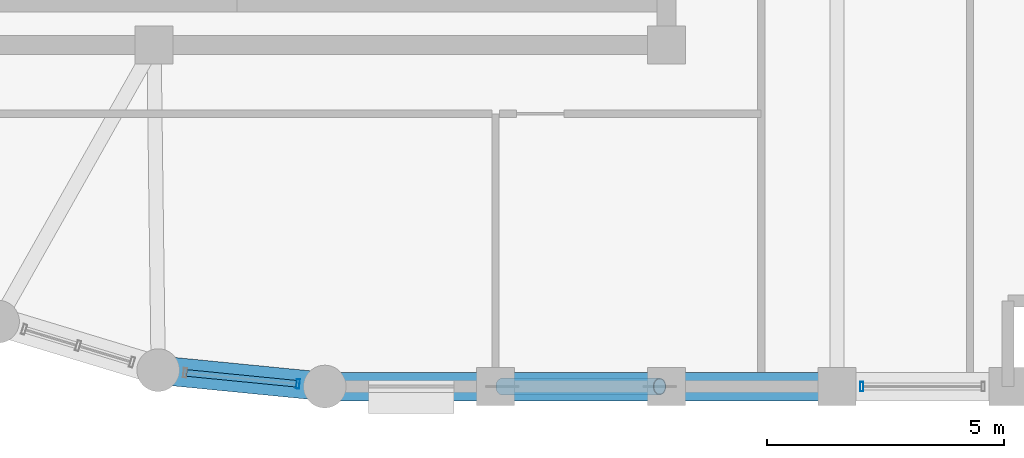
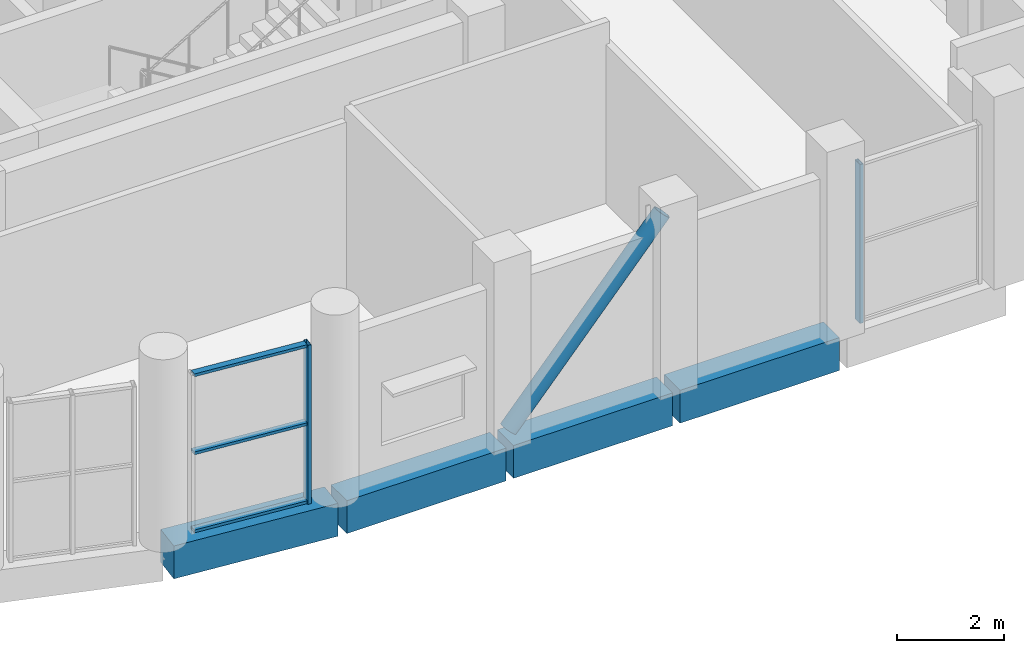
# One storey, part 4 of 18: 6 members, 4 beams, 2 elements without a shape of their own.
"""IFC4 building model written with IfcOpenShell, lengths in metres."""

import ifcopenshell
import ifcopenshell.guid

model = None  # the IFC model being written
_history = None  # IfcOwnerHistory: only IFC2X3 demands one
_inside = {}  # id of a spatial element -> (the spatial element, [elements in it])
_under = {}  # id of a project, library or spatial element -> (it, [spatial elements below it])
_declared = {}  # id of a project -> (the project, [libraries it declares])
_typed = {}  # id of a type object -> (the type object, [elements of that type])
_made_of = {}  # id of a material, layer set ... -> (it, [elements and type objects made of it])


def new_model(schema):
    """Start an empty IFC model of exactly this schema.

    Asked for "IFC4X3", IfcOpenShell would pick the latest addendum, in which some entities
    have other attributes; the version numbers below select the first issue.
    IFC2X3 requires an IfcOwnerHistory on every rooted entity: one is made here for all.
    """
    global model, _history
    if schema == "IFC4X3":
        model = ifcopenshell.file(schema_version=(4, 3, 0, 0))
    else:
        model = ifcopenshell.file(schema=schema)
    _inside.clear()
    _under.clear()
    _declared.clear()
    _typed.clear()
    _made_of.clear()
    _history = None
    if model.schema == "IFC2X3":
        org = make("IfcOrganization", Name="unknown")
        user = make(
            "IfcPersonAndOrganization",
            ThePerson=make("IfcPerson", FamilyName="unknown"),
            TheOrganization=org,
        )
        app = make(
            "IfcApplication",
            ApplicationDeveloper=org,
            Version="unknown",
            ApplicationFullName="unknown",
            ApplicationIdentifier="unknown",
        )
        _history = make(
            "IfcOwnerHistory",
            OwningUser=user,
            OwningApplication=app,
            ChangeAction="ADDED",
            CreationDate=0,
        )
    return model


def make(cls, **values):
    """One entity of the class cls with the attributes given. An attribute that is None is left unset."""
    return model.create_entity(
        cls, **{name: value for name, value in values.items() if value is not None}
    )


def rooted(cls, **values):
    """An entity with a GlobalId (a new one), such as an element, a storey or a relation."""
    return make(cls, GlobalId=ifcopenshell.guid.new(), OwnerHistory=_history, **values)


def si_unit(unit_type, name, prefix=None):
    """IfcSIUnit, for example si_unit("LENGTHUNIT", "METRE", prefix="MILLI")."""
    return make("IfcSIUnit", UnitType=unit_type, Prefix=prefix, Name=name)


def assignment(units):
    """IfcUnitAssignment: the units of a project."""
    return None if units is None else make("IfcUnitAssignment", Units=units)


def point(xyz):
    """IfcCartesianPoint."""
    return None if xyz is None else make("IfcCartesianPoint", Coordinates=xyz)


def direction(xyz):
    """IfcDirection."""
    return None if xyz is None else make("IfcDirection", DirectionRatios=xyz)


def frame(location, z_axis=None, x_axis=None):
    """IfcAxis2Placement3D, a coordinate frame: its origin and axes. An axis left out is left unset."""
    return make(
        "IfcAxis2Placement3D",
        Location=point(location),
        Axis=direction(z_axis),
        RefDirection=direction(x_axis),
    )


def frame_2d(location, x_axis=None):
    """IfcAxis2Placement2D, a coordinate frame in the plane: its origin and x axis."""
    return make(
        "IfcAxis2Placement2D", Location=point(location), RefDirection=direction(x_axis)
    )


def origin():
    """The frame at (0, 0, 0) with its axes left unset."""
    return frame((0.0, 0.0, 0.0))


def origin_2d():
    """The frame at (0, 0) in the plane with its x axis left unset."""
    return frame_2d((0.0, 0.0))


def place(relative_to, where):
    """IfcLocalPlacement: puts the frame where relative to a parent placement (None: the world)."""
    return make(
        "IfcLocalPlacement", PlacementRelTo=relative_to, RelativePlacement=where
    )


def context(
    kind, dimensions, precision=None, world=None, true_north=None, identifier=None
):
    """IfcGeometricRepresentationContext, for example the 3D "Model" context."""
    return make(
        "IfcGeometricRepresentationContext",
        ContextIdentifier=identifier,
        ContextType=kind,
        CoordinateSpaceDimension=dimensions,
        Precision=precision,
        WorldCoordinateSystem=world,
        TrueNorth=true_north,
    )


def subcontext(parent, identifier, kind, view, scale=None):
    """IfcGeometricRepresentationSubContext, for example "Body" below "Model"."""
    return make(
        "IfcGeometricRepresentationSubContext",
        ContextIdentifier=identifier,
        ContextType=kind,
        ParentContext=parent,
        TargetScale=scale,
        TargetView=view,
    )


def project(units=None, contexts=None):
    """IfcProject with its units and contexts."""
    return rooted(
        "IfcProject",
        Name="project",
        RepresentationContexts=contexts,
        UnitsInContext=assignment(units),
    )


def spatial(cls, under=None, at=None, **own):
    """A site, building, storey or space (cls), placed at a placement, below another one or the project."""
    s = rooted(cls, ObjectPlacement=at, **own)
    if under is not None:
        _under.setdefault(under.id(), (under, []))[1].append(s)
    return s


def profile(cls, at=None, kind="AREA", **sizes):
    """A parametric profile (cls). Its sizes go by their IFC names, for example OverallWidth=200.0."""
    return make(cls, ProfileType=kind, Position=at, **sizes)


def rectangle(**sizes):
    """IfcRectangleProfileDef."""
    return profile("IfcRectangleProfileDef", **sizes)


def hollow_rectangle(**sizes):
    """IfcRectangleHollowProfileDef."""
    return profile("IfcRectangleHollowProfileDef", **sizes)


def hollow_circle(**sizes):
    """IfcCircleHollowProfileDef."""
    return profile("IfcCircleHollowProfileDef", **sizes)


def extrude(swept, where, along, depth):
    """IfcExtrudedAreaSolid: the profile swept, set in the frame where, extruded along a direction by depth."""
    return make(
        "IfcExtrudedAreaSolid",
        SweptArea=swept,
        Position=where,
        ExtrudedDirection=direction(along),
        Depth=depth,
    )


def shape(context_of_items, identifier, shape_type, items):
    """IfcShapeRepresentation: the items that make up one representation, for example the "Body"."""
    return make(
        "IfcShapeRepresentation",
        ContextOfItems=context_of_items,
        RepresentationIdentifier=identifier,
        RepresentationType=shape_type,
        Items=items,
    )


def material(Name=None, Category=None):
    """IfcMaterial."""
    return make("IfcMaterial", Name=Name, Category=Category)


def layer(
    of_material, thickness, ventilated=None, Name=None, Category=None, Priority=None
):
    """IfcMaterialLayer: one layer of a wall or slab, of a material (None: an air gap)."""
    return make(
        "IfcMaterialLayer",
        Material=of_material,
        LayerThickness=thickness,
        IsVentilated=ventilated,
        Name=Name,
        Category=Category,
        Priority=Priority,
    )


def layer_set(layers, Name=None):
    """IfcMaterialLayerSet."""
    return make("IfcMaterialLayerSet", MaterialLayers=layers, LayerSetName=Name)


def material_profile(
    of_material, cross_section, Name=None, Category=None, Priority=None
):
    """IfcMaterialProfile: a cross section and its material."""
    return make(
        "IfcMaterialProfile",
        Name=Name,
        Material=of_material,
        Profile=cross_section,
        Priority=Priority,
        Category=Category,
    )


def profile_set(profiles, Name=None, composite=None):
    """IfcMaterialProfileSet."""
    return make(
        "IfcMaterialProfileSet",
        Name=Name,
        MaterialProfiles=profiles,
        CompositeProfile=composite,
    )


def made_of(thing, what):
    """Note that an element or type object is made of a material, layer set ...; save() writes the relation."""
    if what is not None:
        _made_of.setdefault(what.id(), (what, []))[1].append(thing)
    return thing


def type_object(cls, material=None, **own):
    """A type object (cls), such as IfcWallType, which elements share."""
    return made_of(rooted(cls, **own), material)


def element(
    cls,
    number,
    at=None,
    inside=None,
    cuts=None,
    type_object=None,
    material=None,
    context=None,
    identifier="Body",
    shape_type=None,
    held_by="IfcProductDefinitionShape",
    body=None,
    shapes=None,
    **own,
):
    """One element of the class cls, such as IfcWall. Its Tag is "e" and its number.

    at: its placement. inside: the storey or other place that contains it. cuts: it is an
    opening in that element (IfcRelVoidsElement). A single representation is given by context,
    identifier, shape_type and body (its items); several are given by shapes. held_by: the class
    of the entity that holds the representations. save() writes the other relations.
    """
    e = rooted(cls, Tag="e%d" % number, ObjectPlacement=at, **own)
    if body is not None:
        shapes = [shape(context, identifier, shape_type, body)]
    if shapes is not None:
        e.Representation = make(held_by, Representations=shapes)
    if inside is not None:
        _inside.setdefault(inside.id(), (inside, []))[1].append(e)
    if cuts is not None:
        rooted(
            "IfcRelVoidsElement", RelatingBuildingElement=cuts, RelatedOpeningElement=e
        )
    if type_object is not None:
        _typed.setdefault(type_object.id(), (type_object, []))[1].append(e)
    return made_of(e, material)


def aggregate(whole, parts):
    """IfcRelAggregates: a whole, such as a stair, and the parts it consists of."""
    return rooted("IfcRelAggregates", RelatingObject=whole, RelatedObjects=parts)


def save(model, path):
    """Write the relations noted so far, then the file.

    IfcRelAggregates (storeys below a building ...), IfcRelContainedInSpatialStructure (elements
    in a storey), IfcRelDefinesByType, IfcRelAssociatesMaterial and IfcRelDeclares: one each for
    every whole, place, type object, material and project.
    """
    for whole, parts in _under.values():
        aggregate(whole, parts)
    for where, things in _inside.values():
        rooted(
            "IfcRelContainedInSpatialStructure",
            RelatedElements=things,
            RelatingStructure=where,
        )
    for kind, things in _typed.values():
        rooted("IfcRelDefinesByType", RelatedObjects=things, RelatingType=kind)
    for what, things in _made_of.values():
        rooted("IfcRelAssociatesMaterial", RelatedObjects=things, RelatingMaterial=what)
    for by, libraries in _declared.values():
        rooted("IfcRelDeclares", RelatingContext=by, RelatedDefinitions=libraries)
    model.write(path)


model = new_model("IFC4")

# Units and contexts
model_context = context("Model", 3, precision=1e-05, world=origin(), true_north=direction((0.0, 1.0)))
body_context = subcontext(model_context, "Body", "Model", "MODEL_VIEW")
ifc_project = project(units=[si_unit("LENGTHUNIT", "METRE"), si_unit("AREAUNIT", "SQUARE_METRE"), si_unit("VOLUMEUNIT", "CUBIC_METRE"), si_unit("PLANEANGLEUNIT", "RADIAN"), si_unit("MASSUNIT", "GRAM", prefix="KILO")], contexts=[model_context])

# Site, building, storey
site_placement = place(None, origin())
site = spatial("IfcSite", under=ifc_project, at=site_placement, CompositionType="ELEMENT")
building_placement = place(site_placement, origin())
building = spatial("IfcBuilding", under=site, at=building_placement, Name="Solnavia Interchange Tower", CompositionType="ELEMENT")
storey_placement = place(building_placement, frame((0.0, 0.0, 295.39990234375)))
storey = spatial("IfcBuildingStorey", under=building, at=storey_placement, Name="L75", CompositionType="ELEMENT", Elevation=295.39990234375)

# Beams
ifc_material_1 = material(Name="Concrete C50/60", Category="concrete")
ifc_material_profile_1 = material_profile(ifc_material_1, rectangle(XDim=0.60009765625, YDim=0.75, at=origin_2d()), Name="RC 600x750")
ifc_profile_set_1 = profile_set([ifc_material_profile_1], Name="Concrete C50/60")
beam_type = type_object("IfcBeamType", Name="Beam-Spandrel-RC600x750", PredefinedType="SPANDREL", material=ifc_profile_set_1)
beam_1_placement = place(storey_placement, frame((21.767578125, 3.938232421875, -0.375), z_axis=(0.995181774609, -0.098047108501, 0.0), x_axis=(0.098047108501, 0.995181774609, 0.0)))
element("IfcBeam", 1, at=beam_1_placement, inside=storey, type_object=beam_type, Name="SPB-L75-08 Framed-tube perimeter spandrel beam", PredefinedType="SPANDREL", context=body_context, shape_type="SweptSolid", body=[
    extrude(rectangle(XDim=0.60009765625, YDim=0.75, at=origin_2d()), origin(), (0.0, 0.0, 1.0), 3.368896484375),
])
beam_2_placement = place(storey_placement, frame((25.280029296875, 3.60009765625, -0.375), z_axis=(1.0, 0.0, 0.0), x_axis=(0.0, 1.0, 0.0)))
element("IfcBeam", 2, at=beam_2_placement, inside=storey, type_object=beam_type, Name="SPB-L75-09 Framed-tube perimeter spandrel beam", PredefinedType="SPANDREL", context=body_context, shape_type="SweptSolid", body=[
    extrude(rectangle(XDim=0.60009765625, YDim=0.75, at=origin_2d()), origin(), (0.0, 0.0, 1.0), 3.43994140625),
])
beam_3_placement = place(storey_placement, frame((28.8798828125, 3.60009765625, -0.375), z_axis=(1.0, 0.0, 0.0), x_axis=(0.0, 1.0, 0.0)))
element("IfcBeam", 3, at=beam_3_placement, inside=storey, type_object=beam_type, Name="SPB-L75-10 Framed-tube perimeter spandrel beam", PredefinedType="SPANDREL", context=body_context, shape_type="SweptSolid", body=[
    extrude(rectangle(XDim=0.60009765625, YDim=0.75, at=origin_2d()), origin(), (0.0, 0.0, 1.0), 3.440185546875),
])
beam_4_placement = place(storey_placement, frame((32.47998046875, 3.60009765625, -0.375), z_axis=(1.0, 0.0, 0.0), x_axis=(0.0, 1.0, 0.0)))
element("IfcBeam", 4, at=beam_4_placement, inside=storey, type_object=beam_type, Name="SPB-L75-11 Framed-tube perimeter spandrel beam", PredefinedType="SPANDREL", context=body_context, shape_type="SweptSolid", body=[
    extrude(rectangle(XDim=0.60009765625, YDim=0.75, at=origin_2d()), origin(), (0.0, 0.0, 1.0), 3.43994140625),
])

# Member
ifc_material_2 = material(Name="Steel S460", Category="steel")
ifc_material_profile_2 = material_profile(ifc_material_2, hollow_circle(Radius=0.177734375, WallThickness=0.01611328125, at=origin_2d()), Name="CHS 355.6x16")
ifc_profile_set_2 = profile_set([ifc_material_profile_2], Name="Steel S460")
member_type_1 = type_object("IfcMemberType", Name="Brace-Perim-CHS355", PredefinedType="BRACE", material=ifc_profile_set_2)
member_1_placement = place(storey_placement, frame((28.93994140625, 3.60009765625, 0.18017578125), z_axis=(0.658929871305, 0.0, 0.75220437695), x_axis=(0.0, 1.0, 0.0)))
element("IfcMember", 5, at=member_1_placement, inside=storey, type_object=member_type_1, Name="BRC-L75-01 Perimeter tube diagonal brace", PredefinedType="BRACE", context=body_context, shape_type="SweptSolid", body=[
    extrude(hollow_circle(Radius=0.177734375, WallThickness=0.01611328125, at=origin_2d()), origin(), (0.0, 0.0, 1.0), 5.03857421875),
])

# Curtain wall, member
ifc_material_3 = material(Name="Aluminium Alloy 6063-T6", Category="aluminium")
ifc_layer = layer(ifc_material_3, 0.219970703125)
ifc_layer_set = layer_set([ifc_layer], Name="Aluminium Alloy 6063-T6")
curtain_wall_type = type_object("IfcCurtainWallType", Name="CurtainWall-Tower-CTW3", PredefinedType="NOTDEFINED", material=ifc_layer_set)
curtain_wall_1_placement = place(storey_placement, origin())
curtain_wall_1 = element("IfcCurtainWall", 6, at=curtain_wall_1_placement, inside=storey, type_object=curtain_wall_type, Name="CTW-L75-S04 CTW-3 curtain wall", PredefinedType="NOTDEFINED")
ifc_material_profile_3 = material_profile(ifc_material_3, hollow_rectangle(XDim=0.070068359375, YDim=0.199951171875, WallThickness=0.0048828125, at=origin_2d()), Name="ALU 200x70x5")
ifc_profile_set_3 = profile_set([ifc_material_profile_3], Name="Aluminium Alloy 6063-T6")
member_type_2 = type_object("IfcMemberType", Name="CW-Mullion-CWM-3", PredefinedType="MULLION", material=ifc_profile_set_3)
member_2_placement = place(storey_placement, frame((36.52001953125, 3.60009765625, 0.0), z_axis=(0.0, 0.0, 1.0), x_axis=(1.0, 0.0, 0.0)))
member_2 = element("IfcMember", 7, at=member_2_placement, type_object=member_type_2, Name="CTW-3 mullion 1", PredefinedType="MULLION", context=body_context, shape_type="SweptSolid", body=[
    extrude(hollow_rectangle(XDim=0.070068359375, YDim=0.199951171875, WallThickness=0.0048828125, at=origin_2d()), origin(), (0.0, 0.0, 1.0), 3.630126953125),
])
aggregate(curtain_wall_1, [member_2])

# Curtain wall, members
curtain_wall_2_placement = place(storey_placement, origin())
curtain_wall_2 = element("IfcCurtainWall", 8, at=curtain_wall_2_placement, inside=storey, type_object=curtain_wall_type, Name="CTW-L75-S44 CTW-3 curtain wall", PredefinedType="NOTDEFINED")
member_3_placement = place(storey_placement, frame((24.6328125, 3.656005859375, 0.0), z_axis=(0.0, 0.0, 1.0), x_axis=(0.99518584375, -0.098005797786, 0.0)))
member_3 = element("IfcMember", 9, at=member_3_placement, type_object=member_type_2, Name="CTW-3 mullion 2", PredefinedType="MULLION", context=body_context, shape_type="SweptSolid", body=[
    extrude(hollow_rectangle(XDim=0.070068359375, YDim=0.199951171875, WallThickness=0.0048828125, at=origin_2d()), origin(), (0.0, 0.0, 1.0), 3.630126953125),
])
ifc_material_profile_4 = material_profile(ifc_material_3, hollow_rectangle(XDim=0.06494140625, YDim=0.139892578125, WallThickness=0.00390625, at=origin_2d()), Name="ALU 140x65x4")
ifc_profile_set_4 = profile_set([ifc_material_profile_4], Name="Aluminium Alloy 6063-T6")
member_type_3 = type_object("IfcMemberType", Name="CW-Transom-CWT-3", PredefinedType="USERDEFINED", material=ifc_profile_set_4)
member_4_placement = place(storey_placement, frame((22.2900390625, 3.88671875, 0.03271484375), z_axis=(0.995185129589, -0.098013049365, 0.0), x_axis=(0.0, 0.0, 1.0)))
member_4 = element("IfcMember", 10, at=member_4_placement, type_object=member_type_3, Name="CTW-3 transom 1.1", ObjectType="TRANSOM", PredefinedType="USERDEFINED", context=body_context, shape_type="SweptSolid", body=[
    extrude(hollow_rectangle(XDim=0.06494140625, YDim=0.139892578125, WallThickness=0.00390625, at=origin_2d()), origin(), (0.0, 0.0, 1.0), 2.319091796875),
])
member_5_placement = place(storey_placement, frame((22.2900390625, 3.88671875, 1.815185546875), z_axis=(0.995185129589, -0.098013049365, 0.0), x_axis=(0.0, 0.0, 1.0)))
member_5 = element("IfcMember", 11, at=member_5_placement, type_object=member_type_3, Name="CTW-3 transom 1.2", ObjectType="TRANSOM", PredefinedType="USERDEFINED", context=body_context, shape_type="SweptSolid", body=[
    extrude(hollow_rectangle(XDim=0.06494140625, YDim=0.139892578125, WallThickness=0.00390625, at=origin_2d()), origin(), (0.0, 0.0, 1.0), 2.319091796875),
])
member_6_placement = place(storey_placement, frame((22.2900390625, 3.88671875, 3.59765625), z_axis=(0.995185129589, -0.098013049365, 0.0), x_axis=(0.0, 0.0, 1.0)))
member_6 = element("IfcMember", 12, at=member_6_placement, type_object=member_type_3, Name="CTW-3 transom 1.3", ObjectType="TRANSOM", PredefinedType="USERDEFINED", context=body_context, shape_type="SweptSolid", body=[
    extrude(hollow_rectangle(XDim=0.06494140625, YDim=0.139892578125, WallThickness=0.00390625, at=origin_2d()), origin(), (0.0, 0.0, 1.0), 2.319091796875),
])
aggregate(curtain_wall_2, [member_3, member_4, member_5, member_6])

save(model, "model.ifc")
